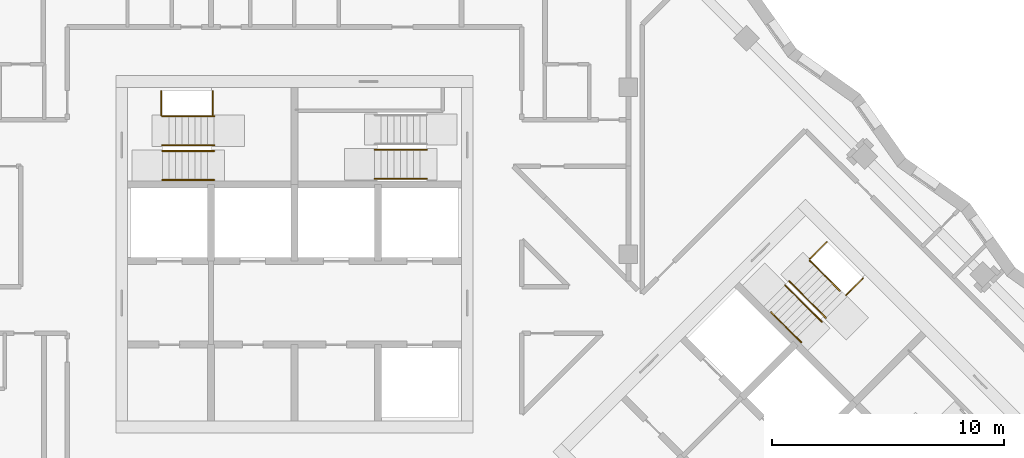
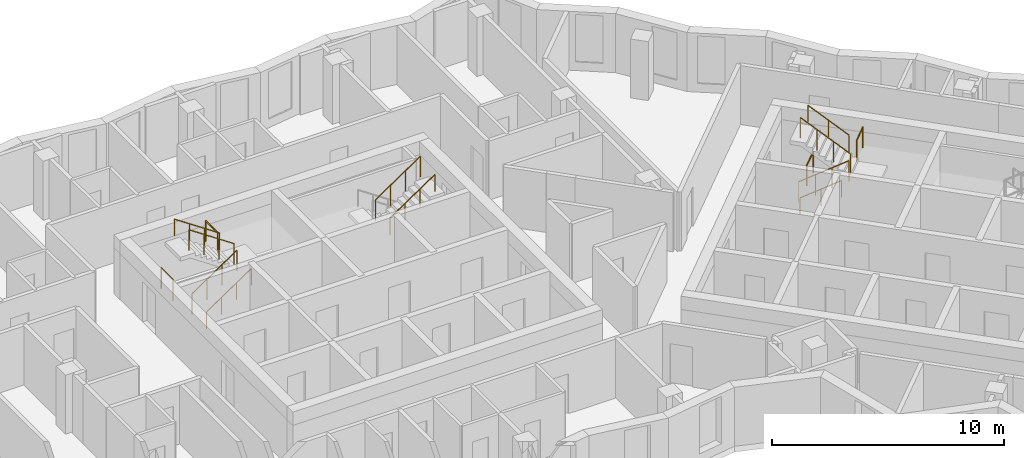
# One storey, part 11 of 13: 14 railings.
"""IFC4 building model written with IfcOpenShell, lengths in metres."""

from ifc_helpers import new_model, si_unit, direction, frame, origin, origin_2d, place, context, subcontext, project, spatial, circle, extrude, material, type_object, element, save


model = new_model("IFC4")

# Units and contexts
model_context = context("Model", 3, precision=1e-05, world=origin(), true_north=direction((0.0, 1.0)))
body_context = subcontext(model_context, "Body", "Model", "MODEL_VIEW")
ifc_project = project(units=[si_unit("LENGTHUNIT", "METRE"), si_unit("AREAUNIT", "SQUARE_METRE"), si_unit("VOLUMEUNIT", "CUBIC_METRE"), si_unit("PLANEANGLEUNIT", "RADIAN"), si_unit("MASSUNIT", "GRAM", prefix="KILO")], contexts=[model_context])

# Site, building, storey
site_placement = place(None, origin())
site = spatial("IfcSite", under=ifc_project, at=site_placement, CompositionType="ELEMENT")
building_placement = place(site_placement, origin())
building = spatial("IfcBuilding", under=site, at=building_placement, Name="Windrow Commons", CompositionType="ELEMENT")
storey_placement = place(building_placement, frame((0.0, 0.0, 220.2)))
storey = spatial("IfcBuildingStorey", under=building, at=storey_placement, Name="L60", CompositionType="ELEMENT", Elevation=220.2)

# Railings
ifc_material_1 = material(Name="Steel S355", Category="steel")
railing_type_1 = type_object("IfcRailingType", Name="Core stair guard 1100", PredefinedType="GUARDRAIL", material=ifc_material_1)
railing_1_placement = place(storey_placement, frame((59.1, 62.05, 0.1889)))
element("IfcRailing", 1, at=railing_1_placement, inside=storey, type_object=railing_type_1, Name="L60 ST-A1 stair guard 1", PredefinedType="GUARDRAIL", context=body_context, shape_type="SweptSolid", body=[
    extrude(circle(Radius=0.024, at=origin_2d()), frame((0.0, 0.0, 1.076), z_axis=(0.8290030985, 0.0, 0.5592440099), x_axis=(0.0, 1.0, 0.0)), (0.0, 0.0, 1.0), 2.702),
    extrude(circle(Radius=0.021, at=origin_2d()), origin(), (0.0, 0.0, 1.0), 1.052),
    extrude(circle(Radius=0.021, at=origin_2d()), frame((0.7467, 0.0, 0.5037)), (0.0, 0.0, 1.0), 1.052),
    extrude(circle(Radius=0.021, at=origin_2d()), frame((1.4933, 0.0, 1.0074)), (0.0, 0.0, 1.0), 1.052),
    extrude(circle(Radius=0.021, at=origin_2d()), frame((2.24, 0.0, 1.5111)), (0.0, 0.0, 1.0), 1.052),
])
railing_2_placement = place(storey_placement, frame((61.34, 62.3, 1.8889)))
element("IfcRailing", 2, at=railing_2_placement, inside=storey, type_object=railing_type_1, Name="L60 ST-A1 stair guard 2", PredefinedType="GUARDRAIL", context=body_context, shape_type="SweptSolid", body=[
    extrude(circle(Radius=0.024, at=origin_2d()), frame((0.0, 0.0, 1.076), z_axis=(-0.8290030985, 0.0, 0.5592440099), x_axis=(0.0, -1.0, 0.0)), (0.0, 0.0, 1.0), 2.702),
    extrude(circle(Radius=0.021, at=origin_2d()), origin(), (0.0, 0.0, 1.0), 1.052),
    extrude(circle(Radius=0.021, at=origin_2d()), frame((-0.7467, 0.0, 0.5037)), (0.0, 0.0, 1.0), 1.052),
    extrude(circle(Radius=0.021, at=origin_2d()), frame((-1.4933, 0.0, 1.0074)), (0.0, 0.0, 1.0), 1.052),
    extrude(circle(Radius=0.021, at=origin_2d()), frame((-2.24, 0.0, 1.5111)), (0.0, 0.0, 1.0), 1.052),
])
for number, where, name in (
    (3, (59.05, 63.6, 0.0), "L60 ST-A1 stair guard 3"),
    (4, (61.27, 63.6, 1.7), "L60 ST-A1 stair guard 4"),
):
    element("IfcRailing", number, at=place(storey_placement, frame(where)), inside=storey, type_object=railing_type_1, Name=name, PredefinedType="GUARDRAIL", context=body_context, shape_type="SweptSolid", body=[
        extrude(circle(Radius=0.024, at=origin_2d()), frame((0.0, 0.0, 1.076), z_axis=(0.0, 1.0, 0.0), x_axis=(-1.0, 0.0, 0.0)), (0.0, 0.0, 1.0), 1.03),
        extrude(circle(Radius=0.021, at=origin_2d()), origin(), (0.0, 0.0, 1.0), 1.052),
        extrude(circle(Radius=0.021, at=origin_2d()), frame((0.0, 1.03, 0.0)), (0.0, 0.0, 1.0), 1.052),
    ])
railing_3_placement = place(storey_placement, frame((68.26, 62.105, 1.8889)))
element("IfcRailing", 5, at=railing_3_placement, inside=storey, type_object=railing_type_1, Name="L60 ST-A2 stair guard 2", PredefinedType="GUARDRAIL", context=body_context, shape_type="SweptSolid", body=[
    extrude(circle(Radius=0.024, at=origin_2d()), frame((0.0, 0.0, 1.076), z_axis=(0.8290030985, 0.0, 0.5592440099), x_axis=(0.0, 1.0, 0.0)), (0.0, 0.0, 1.0), 2.702),
    extrude(circle(Radius=0.021, at=origin_2d()), origin(), (0.0, 0.0, 1.0), 1.052),
    extrude(circle(Radius=0.021, at=origin_2d()), frame((0.7467, 0.0, 0.5037)), (0.0, 0.0, 1.0), 1.052),
    extrude(circle(Radius=0.021, at=origin_2d()), frame((1.4933, 0.0, 1.0074)), (0.0, 0.0, 1.0), 1.052),
    extrude(circle(Radius=0.021, at=origin_2d()), frame((2.24, 0.0, 1.5111)), (0.0, 0.0, 1.0), 1.052),
])
railing_4_placement = place(storey_placement, frame((85.9529, 56.2669, 0.1889)))
element("IfcRailing", 6, at=railing_4_placement, inside=storey, type_object=railing_type_1, Name="L60 ST-B1 stair guard 1", PredefinedType="GUARDRAIL", context=body_context, shape_type="SweptSolid", body=[
    extrude(circle(Radius=0.024, at=origin_2d()), frame((0.0, 0.0, 1.076), z_axis=(0.5861914914, -0.5861914914, 0.5592486664), x_axis=(0.7071067812, 0.7071067812, 0.0)), (0.0, 0.0, 1.0), 2.702),
    extrude(circle(Radius=0.021, at=origin_2d()), origin(), (0.0, 0.0, 1.0), 1.052),
    extrude(circle(Radius=0.021, at=origin_2d()), frame((0.528, -0.528, 0.5037)), (0.0, 0.0, 1.0), 1.052),
    extrude(circle(Radius=0.021, at=origin_2d()), frame((1.0559, -1.0559, 1.0074)), (0.0, 0.0, 1.0), 1.052),
    extrude(circle(Radius=0.021, at=origin_2d()), frame((1.5839, -1.5839, 1.5111)), (0.0, 0.0, 1.0), 1.052),
])
railing_5_placement = place(storey_placement, frame((87.7136, 54.8597, 1.8889)))
element("IfcRailing", 7, at=railing_5_placement, inside=storey, type_object=railing_type_1, Name="L60 ST-B1 stair guard 2", PredefinedType="GUARDRAIL", context=body_context, shape_type="SweptSolid", body=[
    extrude(circle(Radius=0.024, at=origin_2d()), frame((0.0, 0.0, 1.076), z_axis=(-0.5862030657, 0.5862030657, 0.5592244018), x_axis=(-0.7071067812, -0.7071067812, 0.0)), (0.0, 0.0, 1.0), 2.7021),
    extrude(circle(Radius=0.021, at=origin_2d()), origin(), (0.0, 0.0, 1.0), 1.052),
    extrude(circle(Radius=0.021, at=origin_2d()), frame((-0.528, 0.528, 0.5037)), (0.0, 0.0, 1.0), 1.052),
    extrude(circle(Radius=0.021, at=origin_2d()), frame((-1.056, 1.056, 1.0074)), (0.0, 0.0, 1.0), 1.052),
    extrude(circle(Radius=0.021, at=origin_2d()), frame((-1.584, 1.584, 1.5111)), (0.0, 0.0, 1.0), 1.052),
])
railing_6_placement = place(storey_placement, frame((87.0135, 57.3982, 0.0)))
element("IfcRailing", 8, at=railing_6_placement, inside=storey, type_object=railing_type_1, Name="L60 ST-B1 stair guard 3", PredefinedType="GUARDRAIL", context=body_context, shape_type="SweptSolid", body=[
    extrude(circle(Radius=0.024, at=origin_2d()), frame((0.0, 0.0, 1.076), z_axis=(0.7070582378, 0.7071553212, 0.0), x_axis=(-0.7071553212, 0.7070582378, 0.0)), (0.0, 0.0, 1.0), 1.03),
    extrude(circle(Radius=0.021, at=origin_2d()), origin(), (0.0, 0.0, 1.0), 1.052),
    extrude(circle(Radius=0.021, at=origin_2d()), frame((0.7283, 0.7284, 0.0)), (0.0, 0.0, 1.0), 1.052),
])
railing_7_placement = place(storey_placement, frame((88.5833, 55.8285, 1.7)))
element("IfcRailing", 9, at=railing_7_placement, inside=storey, type_object=railing_type_1, Name="L60 ST-B1 stair guard 4", PredefinedType="GUARDRAIL", context=body_context, shape_type="SweptSolid", body=[
    extrude(circle(Radius=0.024, at=origin_2d()), frame((0.0, 0.0, 1.076), z_axis=(0.7071067812, 0.7071067812, 0.0), x_axis=(-0.7071067812, 0.7071067812, 0.0)), (0.0, 0.0, 1.0), 1.03),
    extrude(circle(Radius=0.021, at=origin_2d()), origin(), (0.0, 0.0, 1.0), 1.052),
    extrude(circle(Radius=0.021, at=origin_2d()), frame((0.7283, 0.7283, 0.0)), (0.0, 0.0, 1.0), 1.052),
])
ifc_material_2 = material(Name="Steel S355", Category="steel")
railing_type_2 = type_object("IfcRailingType", Name="Core stair handrail 900", PredefinedType="HANDRAIL", material=ifc_material_2)
railing_8_placement = place(storey_placement, frame((59.1, 60.8, 0.1889)))
element("IfcRailing", 10, at=railing_8_placement, inside=storey, type_object=railing_type_2, Name="L60 ST-A1 stair handrail 1", PredefinedType="HANDRAIL", context=body_context, shape_type="SweptSolid", body=[
    extrude(circle(Radius=0.024, at=origin_2d()), frame((0.0, 0.0, 0.876), z_axis=(0.8290030985, 0.0, 0.5592440099), x_axis=(0.0, 1.0, 0.0)), (0.0, 0.0, 1.0), 2.702),
    extrude(circle(Radius=0.021, at=origin_2d()), origin(), (0.0, 0.0, 1.0), 0.852),
    extrude(circle(Radius=0.021, at=origin_2d()), frame((0.7467, 0.0, 0.5037)), (0.0, 0.0, 1.0), 0.852),
    extrude(circle(Radius=0.021, at=origin_2d()), frame((1.4933, 0.0, 1.0074)), (0.0, 0.0, 1.0), 0.852),
    extrude(circle(Radius=0.021, at=origin_2d()), frame((2.24, 0.0, 1.5111)), (0.0, 0.0, 1.0), 0.852),
])
railing_9_placement = place(storey_placement, frame((61.34, 63.55, 1.8889)))
element("IfcRailing", 11, at=railing_9_placement, inside=storey, type_object=railing_type_2, Name="L60 ST-A1 stair handrail 2", PredefinedType="HANDRAIL", context=body_context, shape_type="SweptSolid", body=[
    extrude(circle(Radius=0.024, at=origin_2d()), frame((0.0, 0.0, 0.876), z_axis=(-0.8290030985, 0.0, 0.5592440099), x_axis=(0.0, -1.0, 0.0)), (0.0, 0.0, 1.0), 2.702),
    extrude(circle(Radius=0.021, at=origin_2d()), origin(), (0.0, 0.0, 1.0), 0.852),
    extrude(circle(Radius=0.021, at=origin_2d()), frame((-0.7467, 0.0, 0.5037)), (0.0, 0.0, 1.0), 0.852),
    extrude(circle(Radius=0.021, at=origin_2d()), frame((-1.4933, 0.0, 1.0074)), (0.0, 0.0, 1.0), 0.852),
    extrude(circle(Radius=0.021, at=origin_2d()), frame((-2.24, 0.0, 1.5111)), (0.0, 0.0, 1.0), 0.852),
])
railing_10_placement = place(storey_placement, frame((68.26, 60.855, 1.8889)))
element("IfcRailing", 12, at=railing_10_placement, inside=storey, type_object=railing_type_2, Name="L60 ST-A2 stair handrail 2", PredefinedType="HANDRAIL", context=body_context, shape_type="SweptSolid", body=[
    extrude(circle(Radius=0.024, at=origin_2d()), frame((0.0, 0.0, 0.876), z_axis=(0.8290030985, 0.0, 0.5592440099), x_axis=(0.0, 1.0, 0.0)), (0.0, 0.0, 1.0), 2.702),
    extrude(circle(Radius=0.021, at=origin_2d()), origin(), (0.0, 0.0, 1.0), 0.852),
    extrude(circle(Radius=0.021, at=origin_2d()), frame((0.7467, 0.0, 0.5037)), (0.0, 0.0, 1.0), 0.852),
    extrude(circle(Radius=0.021, at=origin_2d()), frame((1.4933, 0.0, 1.0074)), (0.0, 0.0, 1.0), 0.852),
    extrude(circle(Radius=0.021, at=origin_2d()), frame((2.24, 0.0, 1.5111)), (0.0, 0.0, 1.0), 0.852),
])
railing_11_placement = place(storey_placement, frame((85.3518, 55.1001, 0.4587)))
element("IfcRailing", 13, at=railing_11_placement, inside=storey, type_object=railing_type_2, Name="L60 ST-B1 stair handrail 1", PredefinedType="HANDRAIL", context=body_context, shape_type="SweptSolid", body=[
    extrude(circle(Radius=0.024, at=origin_2d()), frame((0.0, 0.0, 0.876), z_axis=(0.586206706, -0.5861616513, 0.5592639952), x_axis=(0.7070796062, 0.7071339551, 0.0)), (0.0, 0.0, 1.0), 2.2195),
    extrude(circle(Radius=0.021, at=origin_2d()), origin(), (0.0, 0.0, 1.0), 0.852),
    extrude(circle(Radius=0.021, at=origin_2d()), frame((0.6506, -0.6505, 0.6206)), (0.0, 0.0, 1.0), 0.852),
    extrude(circle(Radius=0.021, at=origin_2d()), frame((1.3011, -1.301, 1.2413)), (0.0, 0.0, 1.0), 0.852),
])
railing_12_placement = place(storey_placement, frame((88.3146, 56.0265, 2.1587)))
element("IfcRailing", 14, at=railing_12_placement, inside=storey, type_object=railing_type_2, Name="L60 ST-B1 stair handrail 2", PredefinedType="HANDRAIL", context=body_context, shape_type="SweptSolid", body=[
    extrude(circle(Radius=0.024, at=origin_2d()), frame((0.0, 0.0, 0.876), z_axis=(-0.586206706, 0.5861616513, 0.5592639952), x_axis=(-0.7070796062, -0.7071339551, 0.0)), (0.0, 0.0, 1.0), 2.2195),
    extrude(circle(Radius=0.021, at=origin_2d()), origin(), (0.0, 0.0, 1.0), 0.852),
    extrude(circle(Radius=0.021, at=origin_2d()), frame((-0.6506, 0.6505, 0.6206)), (0.0, 0.0, 1.0), 0.852),
    extrude(circle(Radius=0.021, at=origin_2d()), frame((-1.3011, 1.301, 1.2413)), (0.0, 0.0, 1.0), 0.852),
])

save(model, "model.ifc")
